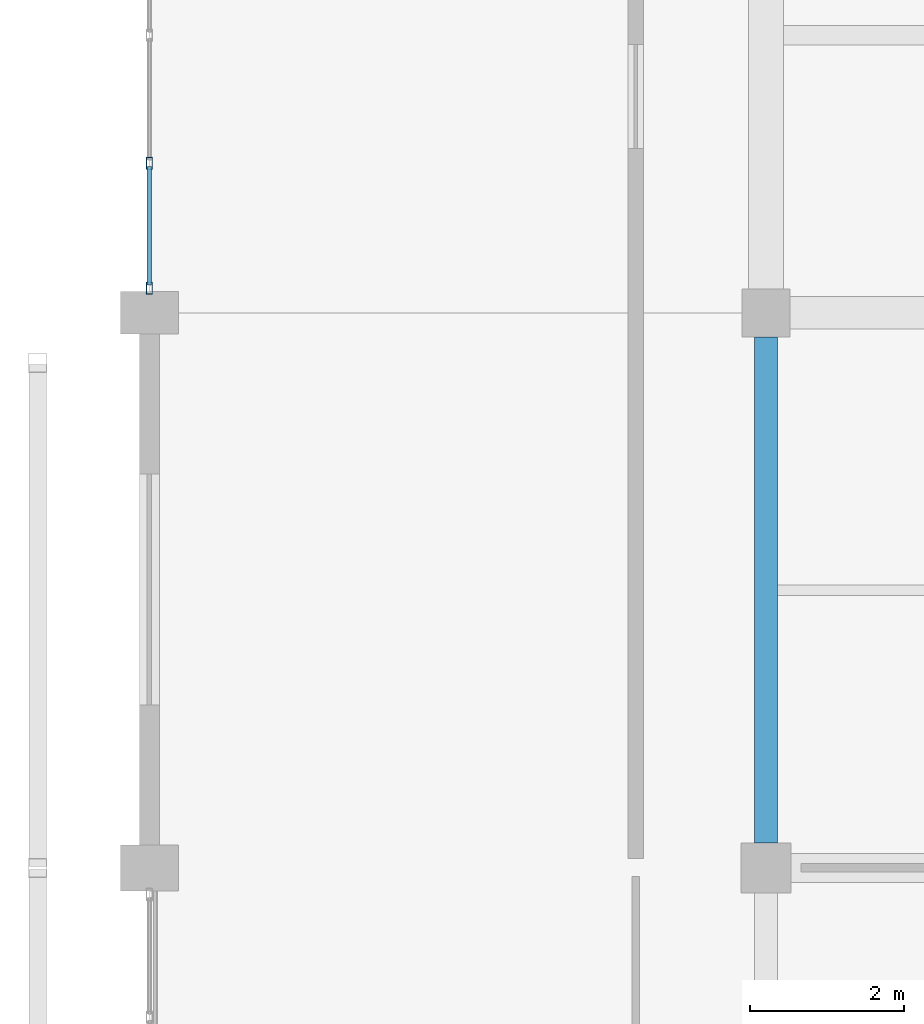
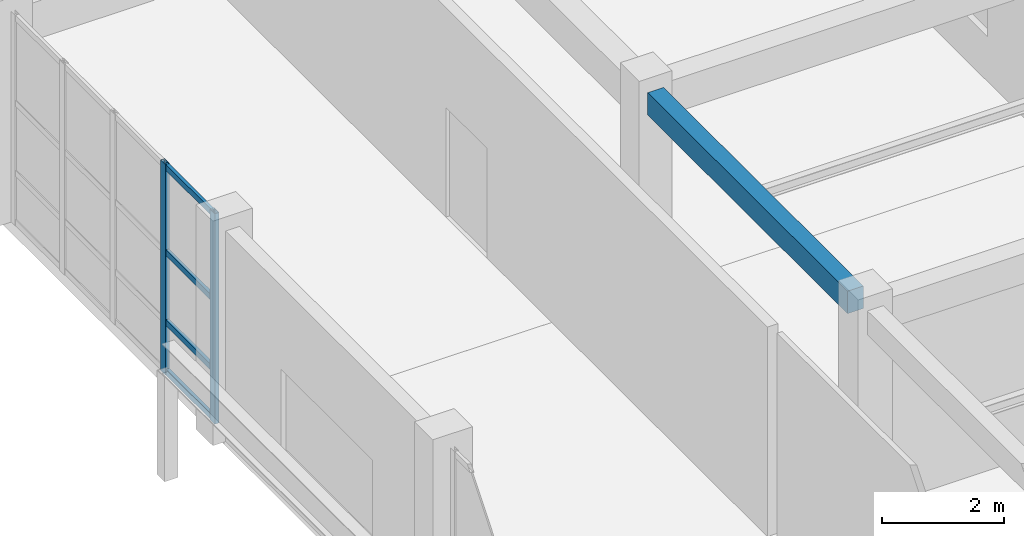
# One storey, part 69 of 160: 6 members, 1 beam, 1 element without a shape of its own.
"""IFC4 building model written with IfcOpenShell, lengths in metres."""

from ifc_helpers import new_model, si_unit, direction, frame, origin, origin_2d, place, context, subcontext, project, spatial, rectangle, hollow_rectangle, extrude, material, material_profile, profile_set, type_object, element, aggregate, save


model = new_model("IFC4")

# Units and contexts
model_context = context("Model", 3, precision=1e-05, world=origin(), true_north=direction((0.0, 1.0)))
body_context = subcontext(model_context, "Body", "Model", "MODEL_VIEW")
ifc_project = project(units=[si_unit("LENGTHUNIT", "METRE"), si_unit("AREAUNIT", "SQUARE_METRE"), si_unit("VOLUMEUNIT", "CUBIC_METRE"), si_unit("PLANEANGLEUNIT", "RADIAN"), si_unit("MASSUNIT", "GRAM", prefix="KILO")], contexts=[model_context])

# Site, building, storey
site_placement = place(None, origin())
site = spatial("IfcSite", under=ifc_project, at=site_placement, CompositionType="ELEMENT")
building_placement = place(site_placement, origin())
building = spatial("IfcBuilding", under=site, at=building_placement, Name="Kharva Crest Polytechnic", CompositionType="ELEMENT")
storey_placement = place(building_placement, frame((0.0, 0.0, 4.5)))
storey = spatial("IfcBuildingStorey", under=building, at=storey_placement, Name="L01", CompositionType="ELEMENT", Elevation=4.5)

# Beam
ifc_material_1 = material(Name="Concrete C35/45", Category="concrete")
ifc_material_profile_1 = material_profile(ifc_material_1, rectangle(XDim=0.300048828125, YDim=0.449951171875, at=origin_2d()), Name="RECT 300 X 450")
ifc_profile_set_1 = profile_set([ifc_material_profile_1], Name="Concrete C35/45")
beam_type = type_object("IfcBeamType", Name="BM-RC-300X450", PredefinedType="BEAM", material=ifc_profile_set_1)
beam_placement = place(storey_placement, frame((40.0, 86.324951171875, 3.9951171875), z_axis=(0.0, 1.0, 0.0), x_axis=(-1.0, 0.0, 0.0)))
element("IfcBeam", 1, at=beam_placement, inside=storey, type_object=beam_type, Name="L01 Girder 6/M-N", PredefinedType="BEAM", context=body_context, shape_type="SweptSolid", body=[
    extrude(rectangle(XDim=0.300048828125, YDim=0.449951171875, at=origin_2d()), origin(), (0.0, 0.0, 1.0), 6.56494140625),
])

# Curtain wall, members
ifc_material_2 = material(Name="Tempered insulated glass", Category="glass")
curtain_wall_type = type_object("IfcCurtainWallType", Name="CW-SYS-COURT", PredefinedType="USERDEFINED", material=ifc_material_2)
curtain_wall_placement = place(storey_placement, origin())
curtain_wall = element("IfcCurtainWall", 2, at=curtain_wall_placement, inside=storey, type_object=curtain_wall_type, Name="L01 Glazed Curtain Wall CW-079", ObjectType="CURTAIN WALL", PredefinedType="USERDEFINED")
ifc_material_3 = material(Name="Steel S355", Category="steel")
ifc_material_profile_2 = material_profile(ifc_material_3, hollow_rectangle(XDim=0.080078125, YDim=0.159912109375, WallThickness=0.0048828125, at=origin_2d()), Name="RHS 160X80X5.0")
ifc_profile_set_2 = profile_set([ifc_material_profile_2], Name="Steel S355")
member_type_1 = type_object("IfcMemberType", Name="CWM-RHS160X80", PredefinedType="MULLION", material=ifc_profile_set_2)
member_1_placement = place(storey_placement, frame((32.0, 95.139892578125, 0.0), z_axis=(0.0, 0.0, 1.0), x_axis=(1.0, 0.0, 0.0)))
member_1 = element("IfcMember", 3, at=member_1_placement, type_object=member_type_1, Name="CW-079 mullion 4", PredefinedType="MULLION", context=body_context, shape_type="SweptSolid", body=[
    extrude(hollow_rectangle(XDim=0.080078125, YDim=0.159912109375, WallThickness=0.0048828125, at=origin_2d()), origin(), (0.0, 0.0, 1.0), 4.219970703125),
])
member_2_placement = place(storey_placement, frame((32.0, 93.52001953125, 0.0), z_axis=(0.0, 0.0, 1.0), x_axis=(1.0, 0.0, 0.0)))
member_2 = element("IfcMember", 4, at=member_2_placement, type_object=member_type_1, Name="CW-079 mullion 5", PredefinedType="MULLION", context=body_context, shape_type="SweptSolid", body=[
    extrude(hollow_rectangle(XDim=0.080078125, YDim=0.159912109375, WallThickness=0.0048828125, at=origin_2d()), origin(), (0.0, 0.0, 1.0), 4.219970703125),
])
ifc_material_profile_3 = material_profile(ifc_material_3, hollow_rectangle(XDim=0.06005859375, YDim=0.1201171875, WallThickness=0.00390625, at=origin_2d()), Name="RHS 120X60X4.0")
ifc_profile_set_3 = profile_set([ifc_material_profile_3], Name="Steel S355")
member_type_2 = type_object("IfcMemberType", Name="CWT-RHS120X60", PredefinedType="USERDEFINED", material=ifc_profile_set_3)
member_3_placement = place(storey_placement, frame((32.0, 95.10009765625, 0.06005859375), z_axis=(0.0, -1.0, 0.0), x_axis=(1.0, 0.0, 0.0)))
member_3 = element("IfcMember", 5, at=member_3_placement, type_object=member_type_2, Name="CW-079 transom 4.1", ObjectType="TRANSOM", PredefinedType="USERDEFINED", context=body_context, shape_type="SweptSolid", body=[
    extrude(hollow_rectangle(XDim=0.06005859375, YDim=0.1201171875, WallThickness=0.00390625, at=origin_2d()), origin(), (0.0, 0.0, 1.0), 1.5400390625),
])
member_4_placement = place(storey_placement, frame((32.0, 95.10009765625, 1.050048828125), z_axis=(0.0, -1.0, 0.0), x_axis=(1.0, 0.0, 0.0)))
member_4 = element("IfcMember", 6, at=member_4_placement, type_object=member_type_2, Name="CW-079 transom 4.2", ObjectType="TRANSOM", PredefinedType="USERDEFINED", context=body_context, shape_type="SweptSolid", body=[
    extrude(hollow_rectangle(XDim=0.06005859375, YDim=0.1201171875, WallThickness=0.00390625, at=origin_2d()), origin(), (0.0, 0.0, 1.0), 1.5400390625),
])
member_5_placement = place(storey_placement, frame((32.0, 95.10009765625, 2.449951171875), z_axis=(0.0, -1.0, 0.0), x_axis=(1.0, 0.0, 0.0)))
member_5 = element("IfcMember", 7, at=member_5_placement, type_object=member_type_2, Name="CW-079 transom 4.3", ObjectType="TRANSOM", PredefinedType="USERDEFINED", context=body_context, shape_type="SweptSolid", body=[
    extrude(hollow_rectangle(XDim=0.06005859375, YDim=0.1201171875, WallThickness=0.00390625, at=origin_2d()), origin(), (0.0, 0.0, 1.0), 1.5400390625),
])
member_6_placement = place(storey_placement, frame((32.0, 95.10009765625, 4.159912109375), z_axis=(0.0, -1.0, 0.0), x_axis=(1.0, 0.0, 0.0)))
member_6 = element("IfcMember", 8, at=member_6_placement, type_object=member_type_2, Name="CW-079 transom 4.4", ObjectType="TRANSOM", PredefinedType="USERDEFINED", context=body_context, shape_type="SweptSolid", body=[
    extrude(hollow_rectangle(XDim=0.06005859375, YDim=0.1201171875, WallThickness=0.00390625, at=origin_2d()), origin(), (0.0, 0.0, 1.0), 1.5400390625),
])
aggregate(curtain_wall, [member_1, member_2, member_3, member_4, member_5, member_6])

save(model, "model.ifc")
